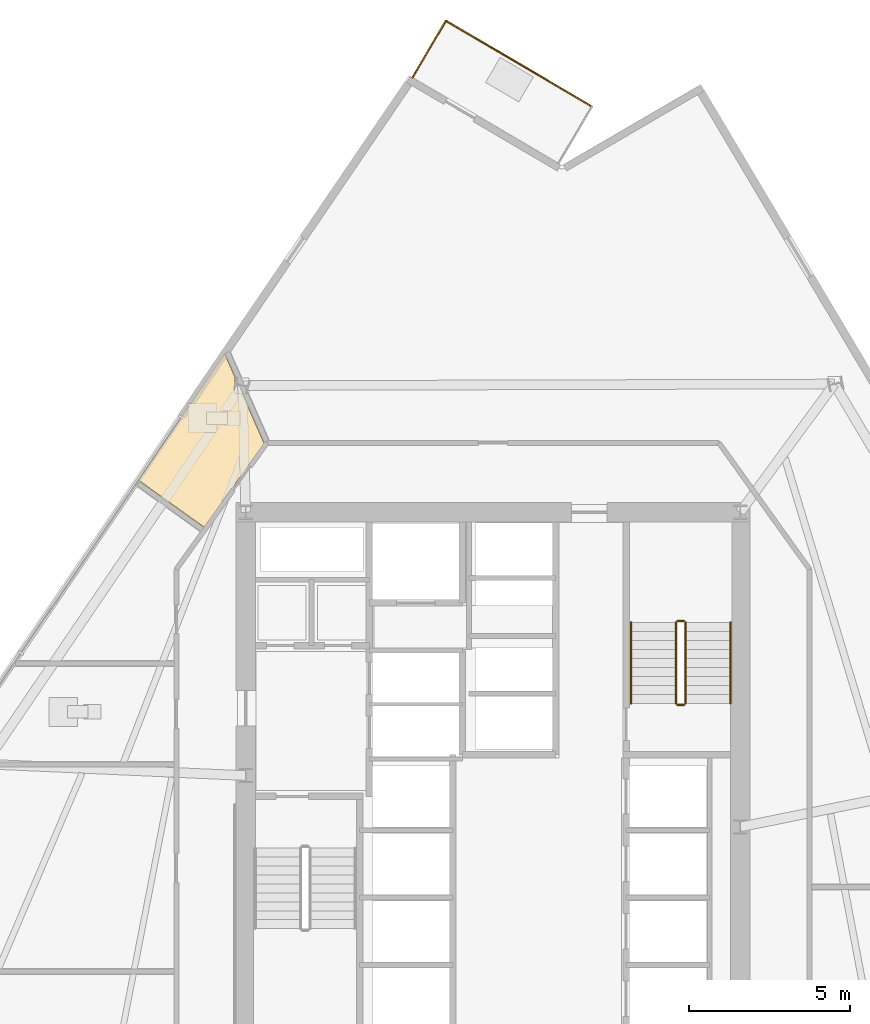
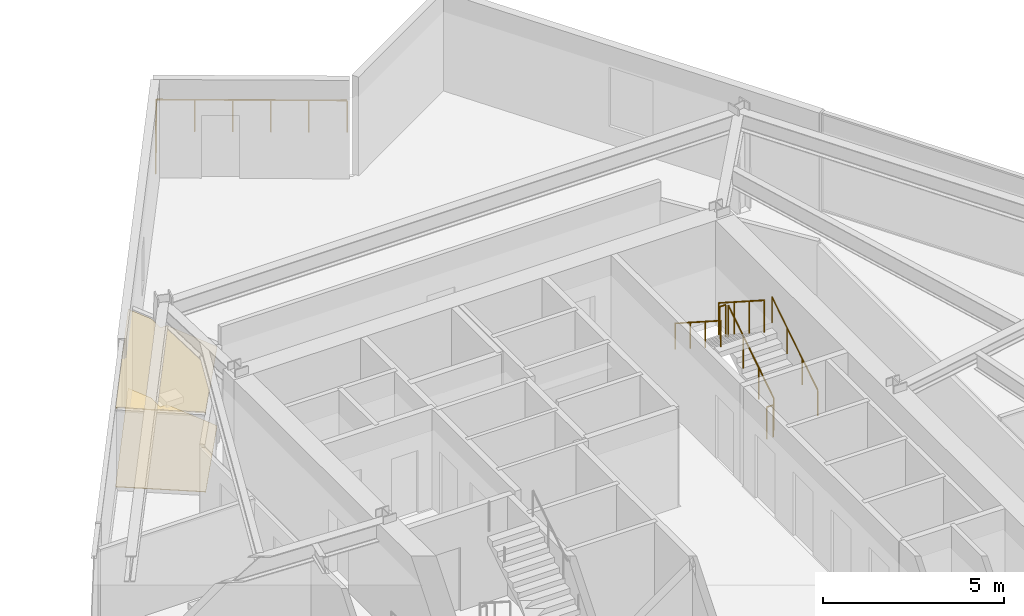
# One storey, part 16 of 18: 8 railings, 2 coverings.
"""IFC4 building model written with IfcOpenShell, lengths in metres."""

from ifc_helpers import new_model, si_unit, direction, frame, origin, origin_2d, place, context, subcontext, project, spatial, polyline, circle, outline, extrude, material, layer, layer_set, type_object, element, save


model = new_model("IFC4")

# Units and contexts
model_context = context("Model", 3, precision=1e-05, world=origin(), true_north=direction((0.0, 1.0)))
body_context = subcontext(model_context, "Body", "Model", "MODEL_VIEW")
ifc_project = project(units=[si_unit("LENGTHUNIT", "METRE"), si_unit("AREAUNIT", "SQUARE_METRE"), si_unit("VOLUMEUNIT", "CUBIC_METRE"), si_unit("PLANEANGLEUNIT", "RADIAN"), si_unit("MASSUNIT", "GRAM", prefix="KILO")], contexts=[model_context])

# Site, building, storey
site_placement = place(None, origin())
site = spatial("IfcSite", under=ifc_project, at=site_placement, CompositionType="ELEMENT")
building_placement = place(site_placement, origin())
building = spatial("IfcBuilding", under=site, at=building_placement, Name="Savorim Split Tower", CompositionType="ELEMENT")
storey_placement = place(building_placement, frame((0.0, 0.0, 44.39990234375)))
storey = spatial("IfcBuildingStorey", under=building, at=storey_placement, Name="L11", CompositionType="ELEMENT", Elevation=44.39990234375)

# Coverings
ifc_material_1 = material(Name="Mineral Fibre Acoustic Ceiling")
ifc_layer_1 = layer(ifc_material_1, 0.02490234375)
ifc_layer_set_1 = layer_set([ifc_layer_1], Name="COV-CEIL-25")
covering_type_1 = type_object("IfcCoveringType", Name="COV-CEIL-25", PredefinedType="CEILING", material=ifc_layer_set_1)
covering_1_placement = place(storey_placement, frame((0.0, 0.0, 2.670166015625)))
element("IfcCovering", 1, at=covering_1_placement, inside=storey, type_object=covering_type_1, Name="L11 Shared Bathroom Acoustic Ceiling", PredefinedType="CEILING", context=body_context, shape_type="SweptSolid", body=[
    extrude(outline(polyline([(-11.03759765625, 11.200927734375), (-8.994384765625, 9.73681640625), (-7.12646484375, 12.34375), (-7.819091796875, 13.918212890625), (-8.035888671875, 13.918212890625), (-8.035888671875, 14.38427734375), (-8.024169921875, 14.38427734375), (-8.357177734375, 15.141357421875), (-11.03759765625, 11.200927734375)])), origin(), (0.0, 0.0, 1.0), 0.02490234375),
])
ifc_material_2 = material(Name="Porcelain Stoneware Flooring", Category="masonry")
ifc_layer_2 = layer(ifc_material_2, 0.02001953125)
ifc_layer_set_2 = layer_set([ifc_layer_2], Name="COV-FLOR-20")
covering_type_2 = type_object("IfcCoveringType", Name="COV-FLOR-20", PredefinedType="FLOORING", material=ifc_layer_set_2)
covering_2_placement = place(storey_placement, origin())
element("IfcCovering", 2, at=covering_2_placement, inside=storey, type_object=covering_type_2, Name="L11 Shared Bathroom Porcelain Flooring", PredefinedType="FLOORING", context=body_context, shape_type="SweptSolid", body=[
    extrude(outline(polyline([(-11.03759765625, 11.200927734375), (-8.994384765625, 9.73681640625), (-7.12646484375, 12.34375), (-7.819091796875, 13.918212890625), (-8.035888671875, 13.918212890625), (-8.035888671875, 14.38427734375), (-8.024169921875, 14.38427734375), (-8.357177734375, 15.141357421875), (-11.03759765625, 11.200927734375)])), origin(), (0.0, 0.0, 1.0), 0.02001953125),
])

# Railings
ifc_material_3 = material(Name="Galvanised Painted Steel Balustrade", Category="steel")
railing_type_1 = type_object("IfcRailingType", Name="RLG-BAL-1100", PredefinedType="BALUSTRADE", material=ifc_material_3)
railing_1_placement = place(storey_placement, frame((-2.5048828125, 23.744384765625, 0.0)))
element("IfcRailing", 3, at=railing_1_placement, inside=storey, type_object=railing_type_1, Name="L11 Tree Balcony Guardrail N-1", PredefinedType="BALUSTRADE", context=body_context, shape_type="SweptSolid", body=[
    extrude(circle(Radius=0.02392578125, at=origin_2d()), frame((0.0, 0.0, 1.076171875), z_axis=(0.50664533146, 0.862154573211, 0.0), x_axis=(-0.862154573211, 0.50664533146, 0.0)), (0.0, 0.0, 1.0), 2.0498046875),
    extrude(circle(Radius=0.02099609375, at=origin_2d()), origin(), (0.0, 0.0, 1.0), 1.052001953125),
    extrude(circle(Radius=0.02099609375, at=origin_2d()), frame((0.519287109375, 0.8837890625, 0.0)), (0.0, 0.0, 1.0), 1.052001953125),
    extrude(circle(Radius=0.02099609375, at=origin_2d()), frame((1.03857421875, 1.767333984375, 0.0)), (0.0, 0.0, 1.0), 1.052001953125),
])
railing_2_placement = place(storey_placement, frame((-1.46630859375, 25.51171875, 0.0)))
element("IfcRailing", 4, at=railing_2_placement, inside=storey, type_object=railing_type_1, Name="L11 Tree Balcony Guardrail N-2", PredefinedType="BALUSTRADE", context=body_context, shape_type="SweptSolid", body=[
    extrude(circle(Radius=0.02392578125, at=origin_2d()), frame((0.0, 0.0, 1.076171875), z_axis=(0.862125548923, -0.506694718637, 0.0), x_axis=(0.506694718637, 0.862125548923, 0.0)), (0.0, 0.0, 1.0), 5.279296875),
    extrude(circle(Radius=0.02099609375, at=origin_2d()), origin(), (0.0, 0.0, 1.0), 1.052001953125),
    extrude(circle(Radius=0.02099609375, at=origin_2d()), frame((0.910400390625, -0.534912109375, 0.0)), (0.0, 0.0, 1.0), 1.052001953125),
    extrude(circle(Radius=0.02099609375, at=origin_2d()), frame((1.820556640625, -1.070068359375, 0.0)), (0.0, 0.0, 1.0), 1.052001953125),
    extrude(circle(Radius=0.02099609375, at=origin_2d()), frame((2.73095703125, -1.60498046875, 0.0)), (0.0, 0.0, 1.0), 1.052001953125),
    extrude(circle(Radius=0.02099609375, at=origin_2d()), frame((3.64111328125, -2.14013671875, 0.0)), (0.0, 0.0, 1.0), 1.052001953125),
    extrude(circle(Radius=0.02099609375, at=origin_2d()), frame((4.551513671875, -2.675048828125, 0.0)), (0.0, 0.0, 1.0), 1.052001953125),
])
railing_type_2 = type_object("IfcRailingType", Name="RLG-HR-900", PredefinedType="HANDRAIL", material=ifc_material_3)
railing_3_placement = place(storey_placement, frame((7.39990234375, 4.25, 0.18017578125)))
element("IfcRailing", 5, at=railing_3_placement, inside=storey, type_object=railing_type_2, Name="L11 ST-2 stair handrail 1", PredefinedType="HANDRAIL", context=body_context, shape_type="SweptSolid", body=[
    extrude(circle(Radius=0.02392578125, at=origin_2d()), frame((0.0, 0.0, 0.8759765625), z_axis=(0.0, 0.841199657755, 0.540724639528), x_axis=(-1.0, 0.0, 0.0)), (0.0, 0.0, 1.0), 2.995849609375),
    extrude(circle(Radius=0.02099609375, at=origin_2d()), origin(), (0.0, 0.0, 1.0), 0.851806640625),
    extrude(circle(Radius=0.02099609375, at=origin_2d()), frame((0.0, 0.840087890625, 0.5400390625)), (0.0, 0.0, 1.0), 0.851806640625),
    extrude(circle(Radius=0.02099609375, at=origin_2d()), frame((0.0, 1.679931640625, 1.079833984375)), (0.0, 0.0, 1.0), 0.851806640625),
    extrude(circle(Radius=0.02099609375, at=origin_2d()), frame((0.0, 2.52001953125, 1.619873046875)), (0.0, 0.0, 1.0), 0.851806640625),
])
railing_4_placement = place(storey_placement, frame((4.300048828125, 6.77001953125, 1.97998046875)))
element("IfcRailing", 6, at=railing_4_placement, inside=storey, type_object=railing_type_2, Name="L11 ST-2 stair handrail 2", PredefinedType="HANDRAIL", context=body_context, shape_type="SweptSolid", body=[
    extrude(circle(Radius=0.02392578125, at=origin_2d()), frame((0.0, 0.0, 0.8759765625), z_axis=(0.0, -0.841162588446, 0.540782303519), x_axis=(1.0, 0.0, 0.0)), (0.0, 0.0, 1.0), 2.995849609375),
    extrude(circle(Radius=0.02099609375, at=origin_2d()), origin(), (0.0, 0.0, 1.0), 0.851806640625),
    extrude(circle(Radius=0.02099609375, at=origin_2d()), frame((0.0, -0.840087890625, 0.5400390625)), (0.0, 0.0, 1.0), 0.851806640625),
    extrude(circle(Radius=0.02099609375, at=origin_2d()), frame((0.0, -1.679931640625, 1.080078125)), (0.0, 0.0, 1.0), 0.851806640625),
    extrude(circle(Radius=0.02099609375, at=origin_2d()), frame((0.0, -2.52001953125, 1.6201171875)), (0.0, 0.0, 1.0), 0.851806640625),
])
railing_type_3 = type_object("IfcRailingType", Name="RLG-STG-1100", PredefinedType="BALUSTRADE", material=ifc_material_3)
railing_5_placement = place(storey_placement, frame((6.0, 4.25, 0.18017578125)))
element("IfcRailing", 7, at=railing_5_placement, inside=storey, type_object=railing_type_3, Name="L11 ST-2 stair guard 1", PredefinedType="BALUSTRADE", context=body_context, shape_type="SweptSolid", body=[
    extrude(circle(Radius=0.02392578125, at=origin_2d()), frame((0.0, 0.0, 1.076171875), z_axis=(0.0, 0.841199657755, 0.540724639528), x_axis=(-1.0, 0.0, 0.0)), (0.0, 0.0, 1.0), 2.995849609375),
    extrude(circle(Radius=0.02099609375, at=origin_2d()), origin(), (0.0, 0.0, 1.0), 1.052001953125),
    extrude(circle(Radius=0.02099609375, at=origin_2d()), frame((0.0, 0.840087890625, 0.5400390625)), (0.0, 0.0, 1.0), 1.052001953125),
    extrude(circle(Radius=0.02099609375, at=origin_2d()), frame((0.0, 1.679931640625, 1.079833984375)), (0.0, 0.0, 1.0), 1.052001953125),
    extrude(circle(Radius=0.02099609375, at=origin_2d()), frame((0.0, 2.52001953125, 1.619873046875)), (0.0, 0.0, 1.0), 1.052001953125),
])
railing_6_placement = place(storey_placement, frame((5.949951171875, 6.820068359375, 1.800048828125)))
element("IfcRailing", 8, at=railing_6_placement, inside=storey, type_object=railing_type_3, Name="L11 ST-2 stair guard 2", PredefinedType="BALUSTRADE", context=body_context, shape_type="SweptSolid", body=[
    extrude(circle(Radius=0.02392578125, at=origin_2d()), frame((0.0, 0.0, 1.076171875), z_axis=(-1.0, 0.0, 0.0), x_axis=(0.0, -1.0, 0.0)), (0.0, 0.0, 1.0), 0.199951171875),
    extrude(circle(Radius=0.02099609375, at=origin_2d()), origin(), (0.0, 0.0, 1.0), 1.052001953125),
    extrude(circle(Radius=0.02099609375, at=origin_2d()), frame((-0.199951171875, 0.0, 0.0)), (0.0, 0.0, 1.0), 1.052001953125),
])
railing_7_placement = place(storey_placement, frame((5.699951171875, 6.77001953125, 1.97998046875)))
element("IfcRailing", 9, at=railing_7_placement, inside=storey, type_object=railing_type_3, Name="L11 ST-2 stair guard 3", PredefinedType="BALUSTRADE", context=body_context, shape_type="SweptSolid", body=[
    extrude(circle(Radius=0.02392578125, at=origin_2d()), frame((0.0, 0.0, 1.076171875), z_axis=(0.0, -0.841162588446, 0.540782303519), x_axis=(1.0, 0.0, 0.0)), (0.0, 0.0, 1.0), 2.995849609375),
    extrude(circle(Radius=0.02099609375, at=origin_2d()), origin(), (0.0, 0.0, 1.0), 1.052001953125),
    extrude(circle(Radius=0.02099609375, at=origin_2d()), frame((0.0, -0.840087890625, 0.5400390625)), (0.0, 0.0, 1.0), 1.052001953125),
    extrude(circle(Radius=0.02099609375, at=origin_2d()), frame((0.0, -1.679931640625, 1.080078125)), (0.0, 0.0, 1.0), 1.052001953125),
    extrude(circle(Radius=0.02099609375, at=origin_2d()), frame((0.0, -2.52001953125, 1.6201171875)), (0.0, 0.0, 1.0), 1.052001953125),
])
railing_8_placement = place(storey_placement, frame((5.949951171875, 4.199951171875, 0.0)))
element("IfcRailing", 10, at=railing_8_placement, inside=storey, type_object=railing_type_3, Name="L11 ST-2 stair guard 4", PredefinedType="BALUSTRADE", context=body_context, shape_type="SweptSolid", body=[
    extrude(circle(Radius=0.02392578125, at=origin_2d()), frame((0.0, 0.0, 1.076171875), z_axis=(-1.0, 0.0, 0.0), x_axis=(0.0, -1.0, 0.0)), (0.0, 0.0, 1.0), 0.199951171875),
    extrude(circle(Radius=0.02099609375, at=origin_2d()), origin(), (0.0, 0.0, 1.0), 1.052001953125),
    extrude(circle(Radius=0.02099609375, at=origin_2d()), frame((-0.199951171875, 0.0, 0.0)), (0.0, 0.0, 1.0), 1.052001953125),
])

save(model, "model.ifc")
